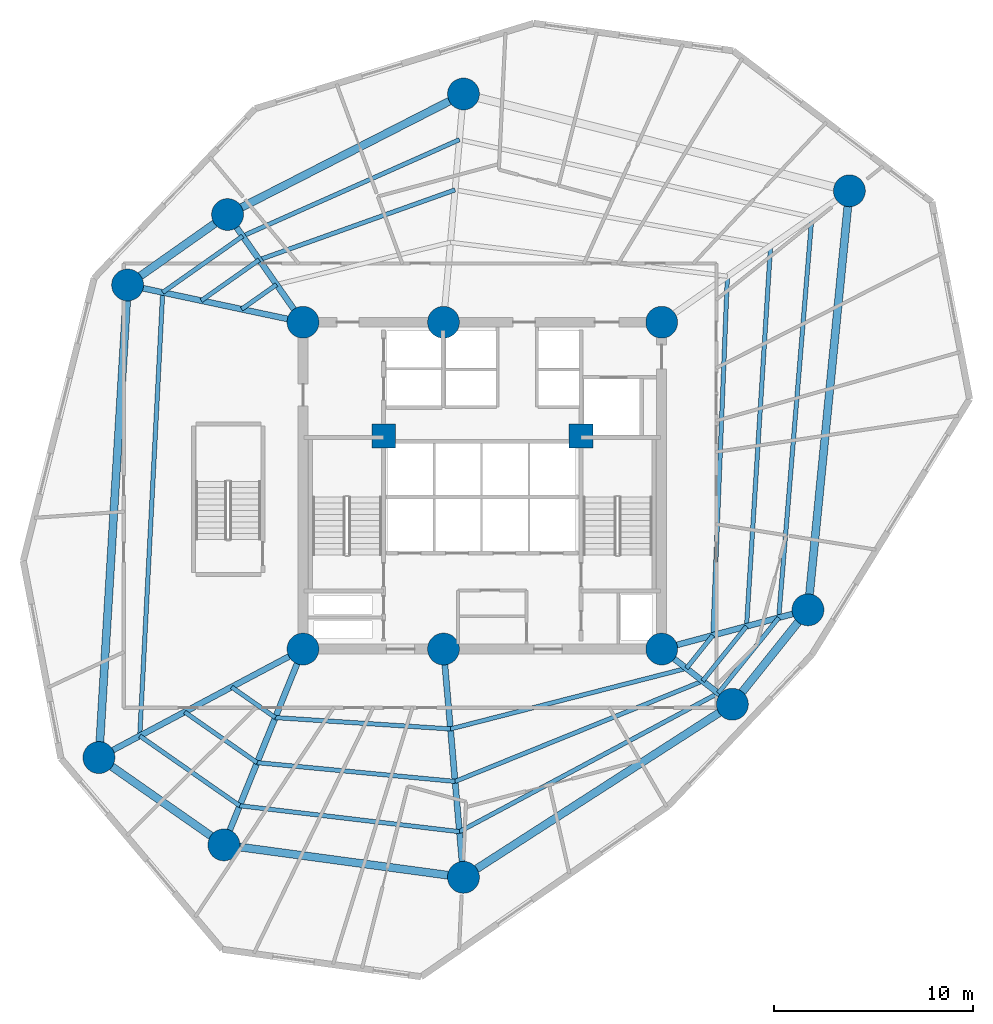
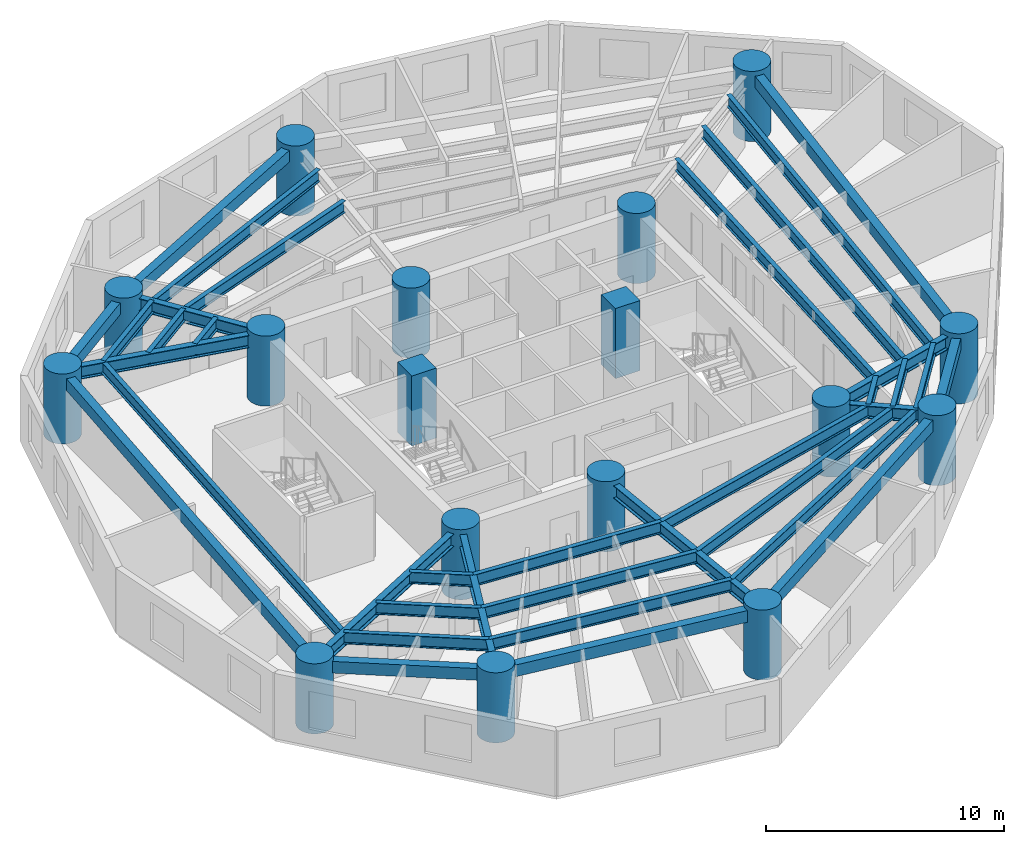
# One storey, part 1 of 8: 36 beams, 17 columns.
"""IFC4 building model written with IfcOpenShell, lengths in metres."""

from ifc_helpers import new_model, si_unit, direction, frame, origin, origin_with_axes, origin_2d, place, context, subcontext, project, spatial, rectangle, circle, i_section, extrude, source, transform, mapped, material, material_profile, profile_set, type_object, element, save


model = new_model("IFC4")

# Units and contexts
model_context = context("Model", 3, precision=1e-05, world=origin(), true_north=direction((0.0, 1.0)))
body_context = subcontext(model_context, "Body", "Model", "MODEL_VIEW")
ifc_project = project(units=[si_unit("LENGTHUNIT", "METRE"), si_unit("AREAUNIT", "SQUARE_METRE"), si_unit("VOLUMEUNIT", "CUBIC_METRE"), si_unit("PLANEANGLEUNIT", "RADIAN"), si_unit("MASSUNIT", "GRAM", prefix="KILO")], contexts=[model_context])

# Site, building, storey
site_placement = place(None, origin())
site = spatial("IfcSite", under=ifc_project, at=site_placement, CompositionType="ELEMENT")
building_placement = place(site_placement, origin())
building = spatial("IfcBuilding", under=site, at=building_placement, Name="Karkom Vertical University and Central Library", CompositionType="ELEMENT")
storey_placement = place(building_placement, frame((0.0, 0.0, 76.89990234375)))
storey = spatial("IfcBuildingStorey", under=building, at=storey_placement, Name="L20", CompositionType="ELEMENT", Elevation=76.89990234375)

# Columns
ifc_material_1 = material(Name="Concrete C50/60", Category="concrete")
ifc_material_profile_1 = material_profile(ifc_material_1, circle(Radius=0.800048828125, at=origin_2d()), Name="CFT-D1600")
ifc_profile_set_1 = profile_set([ifc_material_profile_1], Name="Concrete C50/60")
column_type_1 = type_object("IfcColumnType", Name="STR-COL-C-SC2", PredefinedType="COLUMN", material=ifc_profile_set_1)
shared_shape_1 = source(origin_with_axes(), body_context, "Body", "SweptSolid", [
    extrude(circle(Radius=0.800048828125, at=origin_2d()), origin(), (0.0, 0.0, 1.0), 3.60009765625),
])
for number, where, z_axis, x_axis, name in (
    (1, (19.5, 18.300048828125, 0.0), (0.0, 0.0, 1.0), (1.0, 0.0, 0.0), "Level 20 Spine Mega-Column SC-1"),
    (2, (26.550048828125, 18.300048828125, 0.0), (0.0, 0.0, 1.0), (1.0, 0.0, 0.0), "Level 20 Spine Mega-Column SC-2"),
    (3, (37.5, 18.300048828125, 0.0), (0.0, 0.0, 1.0), (1.0, 0.0, 0.0), "Level 20 Spine Mega-Column SC-3"),
    (4, (19.5, 34.699951171875, 0.0), (0.0, 0.0, 1.0), (1.0, 0.0, 0.0), "Level 20 Spine Mega-Column SC-4"),
    (5, (26.550048828125, 34.699951171875, 0.0), (0.0, 0.0, 1.0), (1.0, 0.0, 0.0), "Level 20 Spine Mega-Column SC-5"),
    (6, (37.5, 34.699951171875, 0.0), (0.0, 0.0, 1.0), (1.0, 0.0, 0.0), "Level 20 Spine Mega-Column SC-6"),
    (7, (44.841064453125, 20.26708984375, 0.0), (0.0, 0.0, 1.0), (1.0, 0.0, 0.0), "Level 20 Perimeter Mega-Column Z1-PC1"),
    (8, (46.919921875, 41.2958984375, 0.0), (0.0, 0.0, 1.0), (1.0, 0.0, 0.0), "Level 20 Perimeter Mega-Column Z1-PC2"),
    (9, (27.552001953125, 46.156005859375, 0.0), (0.0, 0.0, 1.0), (1.0, 0.0, 0.0), "Level 20 Perimeter Mega-Column Z1-PC3"),
    (10, (15.714111328125, 40.10595703125, 0.0), (0.0, 0.0, 1.0), (1.0, 0.0, 0.0), "Level 20 Perimeter Mega-Column Z1-PC4"),
    (11, (10.697021484375, 36.571044921875, 0.0), (0.0, 0.0, 1.0), (1.0, 0.0, 0.0), "Level 20 Perimeter Mega-Column Z1-PC5"),
    (12, (9.258056640625, 12.85400390625, 0.0), (0.0, 0.0, 1.0), (1.0, 0.0, 0.0), "Level 20 Perimeter Mega-Column Z1-PC6"),
    (13, (15.529052734375, 8.471923828125, 0.0), (0.0, 0.0, 1.0), (1.0, 0.0, 0.0), "Level 20 Perimeter Mega-Column Z1-PC7"),
    (14, (27.552001953125, 6.843994140625, 0.0), (0.0, 0.0, 1.0), (1.0, 0.0, 0.0), "Level 20 Perimeter Mega-Column Z1-PC8"),
    (15, (41.0458984375, 15.530029296875, 0.0), (0.0, 0.0, 1.0), (1.0, 0.0, 0.0), "Level 20 Perimeter Mega-Column Z1-PC9"),
):
    element("IfcColumn", number, at=place(storey_placement, frame(where, z_axis=z_axis, x_axis=x_axis)), inside=storey, type_object=column_type_1, Name=name, PredefinedType="COLUMN", context=body_context, shape_type="MappedRepresentation", body=[
        mapped(shared_shape_1, transform((0.0, 0.0, 0.0), scale=1.0)),
    ])
ifc_material_profile_2 = material_profile(ifc_material_1, rectangle(XDim=1.199951171875, YDim=1.199951171875, at=origin_2d()), Name="RC-1200x1200")
ifc_profile_set_2 = profile_set([ifc_material_profile_2], Name="Concrete C50/60")
column_type_2 = type_object("IfcColumnType", Name="STR-COL-C-CC1", PredefinedType="COLUMN", material=ifc_profile_set_2)
shared_shape_2 = source(origin_with_axes(), body_context, "Body", "SweptSolid", [
    extrude(rectangle(XDim=1.199951171875, YDim=1.199951171875, at=origin_2d()), origin(), (0.0, 0.0, 1.0), 3.60009765625),
])
for number, where, z_axis, x_axis, name in (
    (16, (23.550048828125, 29.0, 0.0), (0.0, 0.0, 1.0), (1.0, 0.0, 0.0), "Level 20 Core Node Column CC-1"),
    (17, (33.449951171875, 29.0, 0.0), (0.0, 0.0, 1.0), (1.0, 0.0, 0.0), "Level 20 Core Node Column CC-2"),
):
    element("IfcColumn", number, at=place(storey_placement, frame(where, z_axis=z_axis, x_axis=x_axis)), inside=storey, type_object=column_type_2, Name=name, PredefinedType="COLUMN", context=body_context, shape_type="MappedRepresentation", body=[
        mapped(shared_shape_2, transform((0.0, 0.0, 0.0), scale=1.0)),
    ])

# Beams
ifc_material_2 = material(Name="Steel S355", Category="steel")
ifc_material_profile_3 = material_profile(ifc_material_2, i_section(OverallWidth=0.300048828125, OverallDepth=0.64990234375, WebThickness=0.01611328125, FlangeThickness=0.031005859375, FilletRadius=0.027099609375, at=origin_2d()), Name="HE 650 B")
ifc_profile_set_3 = profile_set([ifc_material_profile_3], Name="Steel S355")
beam_type_1 = type_object("IfcBeamType", Name="STR-BM-SB-HE650", PredefinedType="USERDEFINED", material=ifc_profile_set_3)
shared_shape_3 = source(origin_with_axes(), body_context, "Body", "SweptSolid", [
    extrude(i_section(OverallWidth=0.300048828125, OverallDepth=0.64990234375, WebThickness=0.01611328125, FlangeThickness=0.031005859375, FilletRadius=0.027099609375, at=origin_2d()), origin(), (0.0, 0.0, 1.0), 7.60009765625),
])
beam_1_placement = place(storey_placement, frame((37.5, 18.300048828125, 3.025146484375), z_axis=(0.965925539322, 0.258820116077, 0.0), x_axis=(-0.258820116077, 0.965925539322, 0.0)))
element("IfcBeam", 18, at=beam_1_placement, inside=storey, type_object=beam_type_1, Name="Level 20 Radial Frame Girder 01", ObjectType="GIRDER", PredefinedType="USERDEFINED", context=body_context, shape_type="MappedRepresentation", body=[
    mapped(shared_shape_3, transform((0.0, 0.0, 0.0), scale=1.0)),
])
shared_shape_4 = source(origin_with_axes(), body_context, "Body", "SweptSolid", [
    extrude(i_section(OverallWidth=0.300048828125, OverallDepth=0.64990234375, WebThickness=0.01611328125, FlangeThickness=0.031005859375, FilletRadius=0.027099609375, at=origin_2d()), origin(), (0.0, 0.0, 1.0), 11.499755859375),
])
beam_2_placement = place(storey_placement, frame((26.550048828125, 18.300048828125, 3.025146484375), z_axis=(0.087127973109, -0.99619712723, 0.0), x_axis=(0.99619712723, 0.087127973109, 0.0)))
element("IfcBeam", 19, at=beam_2_placement, inside=storey, type_object=beam_type_1, Name="Level 20 Radial Frame Girder 08", ObjectType="GIRDER", PredefinedType="USERDEFINED", context=body_context, shape_type="MappedRepresentation", body=[
    mapped(shared_shape_4, transform((0.0, 0.0, 0.0), scale=1.0)),
])
shared_shape_5 = source(origin_with_axes(), body_context, "Body", "SweptSolid", [
    extrude(i_section(OverallWidth=0.300048828125, OverallDepth=0.64990234375, WebThickness=0.01611328125, FlangeThickness=0.031005859375, FilletRadius=0.027099609375, at=origin_2d()), origin(), (0.0, 0.0, 1.0), 6.599853515625),
])
beam_3_placement = place(storey_placement, frame((19.5, 34.699951171875, 3.025146484375), z_axis=(-0.573633636671, 0.819111989218, 0.0), x_axis=(-0.819111989218, -0.573633636671, 0.0)))
element("IfcBeam", 20, at=beam_3_placement, inside=storey, type_object=beam_type_1, Name="Level 20 Radial Frame Girder 04", ObjectType="GIRDER", PredefinedType="USERDEFINED", context=body_context, shape_type="MappedRepresentation", body=[
    mapped(shared_shape_5, transform((0.0, 0.0, 0.0), scale=1.0)),
])
shared_shape_6 = source(origin_with_axes(), body_context, "Body", "SweptSolid", [
    extrude(i_section(OverallWidth=0.300048828125, OverallDepth=0.64990234375, WebThickness=0.01611328125, FlangeThickness=0.031005859375, FilletRadius=0.027099609375, at=origin_2d()), origin(), (0.0, 0.0, 1.0), 8.999755859375),
])
beam_4_placement = place(storey_placement, frame((19.5, 34.699951171875, 3.025146484375), z_axis=(-0.978148438993, 0.207907747079, 0.0), x_axis=(-0.207907747079, -0.978148438993, 0.0)))
element("IfcBeam", 21, at=beam_4_placement, inside=storey, type_object=beam_type_1, Name="Level 20 Radial Frame Girder 05", ObjectType="GIRDER", PredefinedType="USERDEFINED", context=body_context, shape_type="MappedRepresentation", body=[
    mapped(shared_shape_6, transform((0.0, 0.0, 0.0), scale=1.0)),
])
shared_shape_7 = source(origin_with_axes(), body_context, "Body", "SweptSolid", [
    extrude(i_section(OverallWidth=0.300048828125, OverallDepth=0.64990234375, WebThickness=0.01611328125, FlangeThickness=0.031005859375, FilletRadius=0.027099609375, at=origin_2d()), origin(), (0.0, 0.0, 1.0), 11.599853515625),
])
beam_5_placement = place(storey_placement, frame((19.5, 18.300048828125, 3.025146484375), z_axis=(-0.882936620635, -0.469492197957, 0.0), x_axis=(0.469492197957, -0.882936620635, 0.0)))
element("IfcBeam", 22, at=beam_5_placement, inside=storey, type_object=beam_type_1, Name="Level 20 Radial Frame Girder 06", ObjectType="GIRDER", PredefinedType="USERDEFINED", context=body_context, shape_type="MappedRepresentation", body=[
    mapped(shared_shape_7, transform((0.0, 0.0, 0.0), scale=1.0)),
])
shared_shape_8 = source(origin_with_axes(), body_context, "Body", "SweptSolid", [
    extrude(i_section(OverallWidth=0.300048828125, OverallDepth=0.64990234375, WebThickness=0.01611328125, FlangeThickness=0.031005859375, FilletRadius=0.027099609375, at=origin_2d()), origin(), (0.0, 0.0, 1.0), 10.60009765625),
])
beam_6_placement = place(storey_placement, frame((19.5, 18.300048828125, 3.025146484375), z_axis=(-0.374616894394, -0.927179692635, 0.0), x_axis=(0.927179692635, -0.374616894394, 0.0)))
element("IfcBeam", 23, at=beam_6_placement, inside=storey, type_object=beam_type_1, Name="Level 20 Radial Frame Girder 07", ObjectType="GIRDER", PredefinedType="USERDEFINED", context=body_context, shape_type="MappedRepresentation", body=[
    mapped(shared_shape_8, transform((0.0, 0.0, 0.0), scale=1.0)),
])
shared_shape_9 = source(origin_with_axes(), body_context, "Body", "SweptSolid", [
    extrude(i_section(OverallWidth=0.300048828125, OverallDepth=0.64990234375, WebThickness=0.01611328125, FlangeThickness=0.031005859375, FilletRadius=0.027099609375, at=origin_2d()), origin(), (0.0, 0.0, 1.0), 4.49951171875),
])
beam_7_placement = place(storey_placement, frame((37.5, 18.300048828125, 3.025146484375), z_axis=(0.788047405801, -0.615614559778, 0.0), x_axis=(0.615614559778, 0.788047405801, 0.0)))
element("IfcBeam", 24, at=beam_7_placement, inside=storey, type_object=beam_type_1, Name="Level 20 Radial Frame Girder 09", ObjectType="GIRDER", PredefinedType="USERDEFINED", context=body_context, shape_type="MappedRepresentation", body=[
    mapped(shared_shape_9, transform((0.0, 0.0, 0.0), scale=1.0)),
])
ifc_material_3 = material(Name="Precast concrete C45/55", Category="concrete")
ifc_material_profile_4 = material_profile(ifc_material_3, rectangle(XDim=0.39990234375, YDim=0.60009765625, at=origin_2d()), Name="SPB-400x600")
ifc_profile_set_4 = profile_set([ifc_material_profile_4], Name="Precast concrete C45/55")
beam_type_2 = type_object("IfcBeamType", Name="STR-BM-SP-1", PredefinedType="SPANDREL", material=ifc_profile_set_4)
shared_shape_10 = source(origin_with_axes(), body_context, "Body", "SweptSolid", [
    extrude(rectangle(XDim=0.39990234375, YDim=0.60009765625, at=origin_2d()), origin(), (0.0, 0.0, 1.0), 21.13134765625),
])
beam_8_placement = place(storey_placement, frame((44.841064453125, 20.26708984375, 3.050048828125), z_axis=(0.0983780471, 0.995149114379, 0.0), x_axis=(-0.995149114379, 0.0983780471, 0.0)))
element("IfcBeam", 25, at=beam_8_placement, inside=storey, type_object=beam_type_2, Name="Level 20 Perimeter Spandrel Beam 01", PredefinedType="SPANDREL", context=body_context, shape_type="MappedRepresentation", body=[
    mapped(shared_shape_10, transform((0.0, 0.0, 0.0), scale=1.0)),
])
shared_shape_11 = source(origin_with_axes(), body_context, "Body", "SweptSolid", [
    extrude(rectangle(XDim=0.39990234375, YDim=0.60009765625, at=origin_2d()), origin(), (0.0, 0.0, 1.0), 13.29443359375),
])
beam_9_placement = place(storey_placement, frame((27.552001953125, 46.156005859375, 3.050048828125), z_axis=(-0.890447746793, -0.455085497716, 0.0), x_axis=(0.455085497716, -0.890447746793, 0.0)))
element("IfcBeam", 26, at=beam_9_placement, inside=storey, type_object=beam_type_2, Name="Level 20 Perimeter Spandrel Beam 03", PredefinedType="SPANDREL", context=body_context, shape_type="MappedRepresentation", body=[
    mapped(shared_shape_11, transform((0.0, 0.0, 0.0), scale=1.0)),
])
shared_shape_12 = source(origin_with_axes(), body_context, "Body", "SweptSolid", [
    extrude(rectangle(XDim=0.39990234375, YDim=0.60009765625, at=origin_2d()), origin(), (0.0, 0.0, 1.0), 6.13720703125),
])
beam_10_placement = place(storey_placement, frame((15.714111328125, 40.10595703125, 3.050048828125), z_axis=(-0.817471365538, -0.575969240955, 0.0), x_axis=(0.575969240955, -0.817471365538, 0.0)))
element("IfcBeam", 27, at=beam_10_placement, inside=storey, type_object=beam_type_2, Name="Level 20 Perimeter Spandrel Beam 04", PredefinedType="SPANDREL", context=body_context, shape_type="MappedRepresentation", body=[
    mapped(shared_shape_12, transform((0.0, 0.0, 0.0), scale=1.0)),
])
shared_shape_13 = source(origin_with_axes(), body_context, "Body", "SweptSolid", [
    extrude(rectangle(XDim=0.39990234375, YDim=0.60009765625, at=origin_2d()), origin(), (0.0, 0.0, 1.0), 23.7607421875),
])
beam_11_placement = place(storey_placement, frame((10.697021484375, 36.571044921875, 3.050048828125), z_axis=(-0.060560827767, -0.998164508556, 0.0), x_axis=(0.998164508556, -0.060560827767, 0.0)))
element("IfcBeam", 28, at=beam_11_placement, inside=storey, type_object=beam_type_2, Name="Level 20 Perimeter Spandrel Beam 05", PredefinedType="SPANDREL", context=body_context, shape_type="MappedRepresentation", body=[
    mapped(shared_shape_13, transform((0.0, 0.0, 0.0), scale=1.0)),
])
shared_shape_14 = source(origin_with_axes(), body_context, "Body", "SweptSolid", [
    extrude(rectangle(XDim=0.39990234375, YDim=0.60009765625, at=origin_2d()), origin(), (0.0, 0.0, 1.0), 7.650390625),
])
beam_12_placement = place(storey_placement, frame((9.258056640625, 12.85400390625, 3.050048828125), z_axis=(0.819699409527, -0.572793922822, 0.0), x_axis=(0.572793922822, 0.819699409527, 0.0)))
element("IfcBeam", 29, at=beam_12_placement, inside=storey, type_object=beam_type_2, Name="Level 20 Perimeter Spandrel Beam 06", PredefinedType="SPANDREL", context=body_context, shape_type="MappedRepresentation", body=[
    mapped(shared_shape_14, transform((0.0, 0.0, 0.0), scale=1.0)),
])
shared_shape_15 = source(origin_with_axes(), body_context, "Body", "SweptSolid", [
    extrude(rectangle(XDim=0.39990234375, YDim=0.60009765625, at=origin_2d()), origin(), (0.0, 0.0, 1.0), 12.132568359375),
])
beam_13_placement = place(storey_placement, frame((15.529052734375, 8.471923828125, 3.050048828125), z_axis=(0.990957319008, -0.134177464223, 0.0), x_axis=(0.134177464223, 0.990957319008, 0.0)))
element("IfcBeam", 30, at=beam_13_placement, inside=storey, type_object=beam_type_2, Name="Level 20 Perimeter Spandrel Beam 07", PredefinedType="SPANDREL", context=body_context, shape_type="MappedRepresentation", body=[
    mapped(shared_shape_15, transform((0.0, 0.0, 0.0), scale=1.0)),
])
shared_shape_16 = source(origin_with_axes(), body_context, "Body", "SweptSolid", [
    extrude(rectangle(XDim=0.39990234375, YDim=0.60009765625, at=origin_2d()), origin(), (0.0, 0.0, 1.0), 16.0478515625),
])
beam_14_placement = place(storey_placement, frame((27.552001953125, 6.843994140625, 3.050048828125), z_axis=(0.84085555045, 0.541259589548, 0.0), x_axis=(-0.541259589548, 0.84085555045, 0.0)))
element("IfcBeam", 31, at=beam_14_placement, inside=storey, type_object=beam_type_2, Name="Level 20 Perimeter Spandrel Beam 08", PredefinedType="SPANDREL", context=body_context, shape_type="MappedRepresentation", body=[
    mapped(shared_shape_16, transform((0.0, 0.0, 0.0), scale=1.0)),
])
shared_shape_17 = source(origin_with_axes(), body_context, "Body", "SweptSolid", [
    extrude(rectangle(XDim=0.39990234375, YDim=0.60009765625, at=origin_2d()), origin(), (0.0, 0.0, 1.0), 6.06982421875),
])
beam_15_placement = place(storey_placement, frame((41.0458984375, 15.530029296875, 3.050048828125), z_axis=(0.625249167344, 0.780425190992, 0.0), x_axis=(-0.780425190992, 0.625249167344, 0.0)))
element("IfcBeam", 32, at=beam_15_placement, inside=storey, type_object=beam_type_2, Name="Level 20 Perimeter Spandrel Beam 09", PredefinedType="SPANDREL", context=body_context, shape_type="MappedRepresentation", body=[
    mapped(shared_shape_17, transform((0.0, 0.0, 0.0), scale=1.0)),
])
ifc_material_profile_5 = material_profile(ifc_material_2, i_section(OverallWidth=0.219970703125, OverallDepth=0.60009765625, WebThickness=0.011962890625, FlangeThickness=0.01904296875, FilletRadius=0.02392578125, at=origin_2d()), Name="IPE 600")
ifc_profile_set_5 = profile_set([ifc_material_profile_5], Name="Steel S355")
beam_type_3 = type_object("IfcBeamType", Name="STR-BM-SB-IPE600", PredefinedType="BEAM", material=ifc_profile_set_5)
shared_shape_18 = source(origin_with_axes(), body_context, "Body", "SweptSolid", [
    extrude(i_section(OverallWidth=0.219970703125, OverallDepth=0.60009765625, WebThickness=0.011962890625, FlangeThickness=0.01904296875, FilletRadius=0.02392578125, at=origin_2d()), origin(), (0.0, 0.0, 1.0), 18.03466796875),
])
beam_16_placement = place(storey_placement, frame((40.0693359375, 18.988525390625, 3.050048828125), z_axis=(0.04035458262, 0.999185422062, 0.0), x_axis=(-0.999185422062, 0.04035458262, 0.0)))
element("IfcBeam", 33, at=beam_16_placement, inside=storey, type_object=beam_type_3, Name="Level 20 Secondary Composite Floor Beam 1.01", PredefinedType="BEAM", context=body_context, shape_type="MappedRepresentation", body=[
    mapped(shared_shape_18, transform((0.0, 0.0, 0.0), scale=1.0)),
])
shared_shape_19 = source(origin_with_axes(), body_context, "Body", "SweptSolid", [
    extrude(i_section(OverallWidth=0.219970703125, OverallDepth=0.60009765625, WebThickness=0.011962890625, FlangeThickness=0.01904296875, FilletRadius=0.02392578125, at=origin_2d()), origin(), (0.0, 0.0, 1.0), 2.14794921875),
])
beam_17_placement = place(storey_placement, frame((18.1748046875, 36.592041015625, 3.050048828125), z_axis=(-0.817433780971, -0.576022580918, 0.0), x_axis=(0.576022580918, -0.817433780971, 0.0)))
element("IfcBeam", 34, at=beam_17_placement, inside=storey, type_object=beam_type_3, Name="Level 20 Secondary Composite Floor Beam 1.04", PredefinedType="BEAM", context=body_context, shape_type="MappedRepresentation", body=[
    mapped(shared_shape_19, transform((0.0, 0.0, 0.0), scale=1.0)),
])
shared_shape_20 = source(origin_with_axes(), body_context, "Body", "SweptSolid", [
    extrude(i_section(OverallWidth=0.219970703125, OverallDepth=0.60009765625, WebThickness=0.011962890625, FlangeThickness=0.01904296875, FilletRadius=0.02392578125, at=origin_2d()), origin(), (0.0, 0.0, 1.0), 2.677490234375),
])
beam_18_placement = place(storey_placement, frame((15.915283203125, 16.393798828125, 3.050048828125), z_axis=(0.819702839548, -0.572789014243, 0.0), x_axis=(0.572789014243, 0.819702839548, 0.0)))
element("IfcBeam", 35, at=beam_18_placement, inside=storey, type_object=beam_type_3, Name="Level 20 Secondary Composite Floor Beam 1.06", PredefinedType="BEAM", context=body_context, shape_type="MappedRepresentation", body=[
    mapped(shared_shape_20, transform((0.0, 0.0, 0.0), scale=1.0)),
])
shared_shape_21 = source(origin_with_axes(), body_context, "Body", "SweptSolid", [
    extrude(i_section(OverallWidth=0.219970703125, OverallDepth=0.60009765625, WebThickness=0.011962890625, FlangeThickness=0.01904296875, FilletRadius=0.02392578125, at=origin_2d()), origin(), (0.0, 0.0, 1.0), 8.80908203125),
])
beam_19_placement = place(storey_placement, frame((18.110107421875, 14.860107421875, 3.050048828125), z_axis=(0.997905617906, -0.064686766433, 0.0), x_axis=(0.064686766433, 0.997905617906, 0.0)))
element("IfcBeam", 36, at=beam_19_placement, inside=storey, type_object=beam_type_3, Name="Level 20 Secondary Composite Floor Beam 1.07", PredefinedType="BEAM", context=body_context, shape_type="MappedRepresentation", body=[
    mapped(shared_shape_21, transform((0.0, 0.0, 0.0), scale=1.0)),
])
shared_shape_22 = source(origin_with_axes(), body_context, "Body", "SweptSolid", [
    extrude(i_section(OverallWidth=0.219970703125, OverallDepth=0.60009765625, WebThickness=0.011962890625, FlangeThickness=0.01904296875, FilletRadius=0.02392578125, at=origin_2d()), origin(), (0.0, 0.0, 1.0), 12.224609375),
])
beam_20_placement = place(storey_placement, frame((26.900634765625, 14.290283203125, 3.050048828125), z_axis=(0.968580403264, 0.248700628092, 0.0), x_axis=(-0.248700628092, 0.968580403264, 0.0)))
element("IfcBeam", 37, at=beam_20_placement, inside=storey, type_object=beam_type_3, Name="Level 20 Secondary Composite Floor Beam 1.08", PredefinedType="BEAM", context=body_context, shape_type="MappedRepresentation", body=[
    mapped(shared_shape_22, transform((0.0, 0.0, 0.0), scale=1.0)),
])
shared_shape_23 = source(origin_with_axes(), body_context, "Body", "SweptSolid", [
    extrude(i_section(OverallWidth=0.219970703125, OverallDepth=0.60009765625, WebThickness=0.011962890625, FlangeThickness=0.01904296875, FilletRadius=0.02392578125, at=origin_2d()), origin(), (0.0, 0.0, 1.0), 2.124267578125),
])
beam_21_placement = place(storey_placement, frame((38.7412109375, 17.33056640625, 3.050048828125), z_axis=(0.625199471959, 0.780465002587, 0.0), x_axis=(-0.780465002587, 0.625199471959, 0.0)))
element("IfcBeam", 38, at=beam_21_placement, inside=storey, type_object=beam_type_3, Name="Level 20 Secondary Composite Floor Beam 1.09", PredefinedType="BEAM", context=body_context, shape_type="MappedRepresentation", body=[
    mapped(shared_shape_23, transform((0.0, 0.0, 0.0), scale=1.0)),
])
shared_shape_24 = source(origin_with_axes(), body_context, "Body", "SweptSolid", [
    extrude(i_section(OverallWidth=0.219970703125, OverallDepth=0.60009765625, WebThickness=0.011962890625, FlangeThickness=0.01904296875, FilletRadius=0.02392578125, at=origin_2d()), origin(), (0.0, 0.0, 1.0), 19.122802734375),
])
beam_22_placement = place(storey_placement, frame((41.7578125, 19.44091796875, 3.050048828125), z_axis=(0.063056264597, 0.998009973645, 0.0), x_axis=(-0.998009973645, 0.063056264597, 0.0)))
element("IfcBeam", 39, at=beam_22_placement, inside=storey, type_object=beam_type_3, Name="Level 20 Secondary Composite Floor Beam 2.01", PredefinedType="BEAM", context=body_context, shape_type="MappedRepresentation", body=[
    mapped(shared_shape_24, transform((0.0, 0.0, 0.0), scale=1.0)),
])
shared_shape_25 = source(origin_with_axes(), body_context, "Body", "SweptSolid", [
    extrude(i_section(OverallWidth=0.219970703125, OverallDepth=0.60009765625, WebThickness=0.011962890625, FlangeThickness=0.01904296875, FilletRadius=0.02392578125, at=origin_2d()), origin(), (0.0, 0.0, 1.0), 10.4345703125),
])
beam_23_placement = place(storey_placement, frame((27.131103515625, 41.344482421875, 3.050048828125), z_axis=(-0.941759378798, -0.336287484819, 0.0), x_axis=(0.336287484819, -0.941759378798, 0.0)))
element("IfcBeam", 40, at=beam_23_placement, inside=storey, type_object=beam_type_3, Name="Level 20 Secondary Composite Floor Beam 2.03", PredefinedType="BEAM", context=body_context, shape_type="MappedRepresentation", body=[
    mapped(shared_shape_25, transform((0.0, 0.0, 0.0), scale=1.0)),
])
shared_shape_26 = source(origin_with_axes(), body_context, "Body", "SweptSolid", [
    extrude(i_section(OverallWidth=0.219970703125, OverallDepth=0.60009765625, WebThickness=0.011962890625, FlangeThickness=0.01904296875, FilletRadius=0.02392578125, at=origin_2d()), origin(), (0.0, 0.0, 1.0), 3.5595703125),
])
beam_24_placement = place(storey_placement, frame((17.30419921875, 37.83544921875, 3.050048828125), z_axis=(-0.817465552849, -0.575977490798, 0.0), x_axis=(0.575977490798, -0.817465552849, 0.0)))
element("IfcBeam", 41, at=beam_24_placement, inside=storey, type_object=beam_type_3, Name="Level 20 Secondary Composite Floor Beam 2.04", PredefinedType="BEAM", context=body_context, shape_type="MappedRepresentation", body=[
    mapped(shared_shape_26, transform((0.0, 0.0, 0.0), scale=1.0)),
])
shared_shape_27 = source(origin_with_axes(), body_context, "Body", "SweptSolid", [
    extrude(i_section(OverallWidth=0.219970703125, OverallDepth=0.60009765625, WebThickness=0.011962890625, FlangeThickness=0.01904296875, FilletRadius=0.02392578125, at=origin_2d()), origin(), (0.0, 0.0, 1.0), 4.437255859375),
])
beam_25_placement = place(storey_placement, frame((13.5595703125, 15.141357421875, 3.050048828125), z_axis=(0.819712425733, -0.572775295468, 0.0), x_axis=(0.572775295468, 0.819712425733, 0.0)))
element("IfcBeam", 42, at=beam_25_placement, inside=storey, type_object=beam_type_3, Name="Level 20 Secondary Composite Floor Beam 2.06", PredefinedType="BEAM", context=body_context, shape_type="MappedRepresentation", body=[
    mapped(shared_shape_27, transform((0.0, 0.0, 0.0), scale=1.0)),
])
shared_shape_28 = source(origin_with_axes(), body_context, "Body", "SweptSolid", [
    extrude(i_section(OverallWidth=0.219970703125, OverallDepth=0.60009765625, WebThickness=0.011962890625, FlangeThickness=0.01904296875, FilletRadius=0.02392578125, at=origin_2d()), origin(), (0.0, 0.0, 1.0), 9.97900390625),
])
beam_26_placement = place(storey_placement, frame((17.19677734375, 12.599853515625, 3.050048828125), z_axis=(0.995512389915, -0.094631292526, 0.0), x_axis=(0.094631292526, 0.995512389915, 0.0)))
element("IfcBeam", 43, at=beam_26_placement, inside=storey, type_object=beam_type_3, Name="Level 20 Secondary Composite Floor Beam 2.07", PredefinedType="BEAM", context=body_context, shape_type="MappedRepresentation", body=[
    mapped(shared_shape_28, transform((0.0, 0.0, 0.0), scale=1.0)),
])
shared_shape_29 = source(origin_with_axes(), body_context, "Body", "SweptSolid", [
    extrude(i_section(OverallWidth=0.219970703125, OverallDepth=0.60009765625, WebThickness=0.011962890625, FlangeThickness=0.01904296875, FilletRadius=0.02392578125, at=origin_2d()), origin(), (0.0, 0.0, 1.0), 13.407958984375),
])
beam_27_placement = place(storey_placement, frame((27.131103515625, 11.655517578125, 3.050048828125), z_axis=(0.926727273371, 0.375734694685, 0.0), x_axis=(-0.375734694685, 0.926727273371, 0.0)))
element("IfcBeam", 44, at=beam_27_placement, inside=storey, type_object=beam_type_3, Name="Level 20 Secondary Composite Floor Beam 2.08", PredefinedType="BEAM", context=body_context, shape_type="MappedRepresentation", body=[
    mapped(shared_shape_29, transform((0.0, 0.0, 0.0), scale=1.0)),
])
shared_shape_30 = source(origin_with_axes(), body_context, "Body", "SweptSolid", [
    extrude(i_section(OverallWidth=0.219970703125, OverallDepth=0.60009765625, WebThickness=0.011962890625, FlangeThickness=0.01904296875, FilletRadius=0.02392578125, at=origin_2d()), origin(), (0.0, 0.0, 1.0), 3.5205078125),
])
beam_28_placement = place(storey_placement, frame((39.556640625, 16.693359375, 3.050048828125), z_axis=(0.62523614548, 0.780435623473, 0.0), x_axis=(-0.780435623473, 0.62523614548, 0.0)))
element("IfcBeam", 45, at=beam_28_placement, inside=storey, type_object=beam_type_3, Name="Level 20 Secondary Composite Floor Beam 2.09", PredefinedType="BEAM", context=body_context, shape_type="MappedRepresentation", body=[
    mapped(shared_shape_30, transform((0.0, 0.0, 0.0), scale=1.0)),
])
shared_shape_31 = source(origin_with_axes(), body_context, "Body", "SweptSolid", [
    extrude(i_section(OverallWidth=0.219970703125, OverallDepth=0.60009765625, WebThickness=0.011962890625, FlangeThickness=0.01904296875, FilletRadius=0.02392578125, at=origin_2d()), origin(), (0.0, 0.0, 1.0), 20.171875),
])
beam_29_placement = place(storey_placement, frame((43.372802734375, 19.87353515625, 3.050048828125), z_axis=(0.082445490935, 0.996595575459, 0.0), x_axis=(-0.996595575459, 0.082445490935, 0.0)))
element("IfcBeam", 46, at=beam_29_placement, inside=storey, type_object=beam_type_3, Name="Level 20 Secondary Composite Floor Beam 3.01", PredefinedType="BEAM", context=body_context, shape_type="MappedRepresentation", body=[
    mapped(shared_shape_31, transform((0.0, 0.0, 0.0), scale=1.0)),
])
shared_shape_32 = source(origin_with_axes(), body_context, "Body", "SweptSolid", [
    extrude(i_section(OverallWidth=0.219970703125, OverallDepth=0.60009765625, WebThickness=0.011962890625, FlangeThickness=0.01904296875, FilletRadius=0.02392578125, at=origin_2d()), origin(), (0.0, 0.0, 1.0), 11.908203125),
])
beam_30_placement = place(storey_placement, frame((27.3515625, 43.86474609375, 3.050048828125), z_axis=(-0.913682996781, -0.406427584441, 0.0), x_axis=(0.406427584441, -0.913682996781, 0.0)))
element("IfcBeam", 47, at=beam_30_placement, inside=storey, type_object=beam_type_3, Name="Level 20 Secondary Composite Floor Beam 3.03", PredefinedType="BEAM", context=body_context, shape_type="MappedRepresentation", body=[
    mapped(shared_shape_32, transform((0.0, 0.0, 0.0), scale=1.0)),
])
shared_shape_33 = source(origin_with_axes(), body_context, "Body", "SweptSolid", [
    extrude(i_section(OverallWidth=0.219970703125, OverallDepth=0.60009765625, WebThickness=0.011962890625, FlangeThickness=0.01904296875, FilletRadius=0.02392578125, at=origin_2d()), origin(), (0.0, 0.0, 1.0), 4.909912109375),
])
beam_31_placement = place(storey_placement, frame((16.47119140625, 39.02490234375, 3.050048828125), z_axis=(-0.817452635759, -0.575995823153, 0.0), x_axis=(0.575995823153, -0.817452635759, 0.0)))
element("IfcBeam", 48, at=beam_31_placement, inside=storey, type_object=beam_type_3, Name="Level 20 Secondary Composite Floor Beam 3.04", PredefinedType="BEAM", context=body_context, shape_type="MappedRepresentation", body=[
    mapped(shared_shape_33, transform((0.0, 0.0, 0.0), scale=1.0)),
])
shared_shape_34 = source(origin_with_axes(), body_context, "Body", "SweptSolid", [
    extrude(i_section(OverallWidth=0.219970703125, OverallDepth=0.60009765625, WebThickness=0.011962890625, FlangeThickness=0.01904296875, FilletRadius=0.02392578125, at=origin_2d()), origin(), (0.0, 0.0, 1.0), 22.283447265625),
])
beam_32_placement = place(storey_placement, frame((12.45751953125, 36.19677734375, 3.050048828125), z_axis=(-0.051658288147, -0.998664819279, 0.0), x_axis=(0.998664819279, -0.051658288147, 0.0)))
element("IfcBeam", 49, at=beam_32_placement, inside=storey, type_object=beam_type_3, Name="Level 20 Secondary Composite Floor Beam 3.05", PredefinedType="BEAM", context=body_context, shape_type="MappedRepresentation", body=[
    mapped(shared_shape_34, transform((0.0, 0.0, 0.0), scale=1.0)),
])
shared_shape_35 = source(origin_with_axes(), body_context, "Body", "SweptSolid", [
    extrude(i_section(OverallWidth=0.219970703125, OverallDepth=0.60009765625, WebThickness=0.011962890625, FlangeThickness=0.01904296875, FilletRadius=0.02392578125, at=origin_2d()), origin(), (0.0, 0.0, 1.0), 6.120361328125),
])
beam_33_placement = place(storey_placement, frame((11.306396484375, 13.943115234375, 3.050048828125), z_axis=(0.81970577287, -0.572784816422, 0.0), x_axis=(0.572784816422, 0.81970577287, 0.0)))
element("IfcBeam", 50, at=beam_33_placement, inside=storey, type_object=beam_type_3, Name="Level 20 Secondary Composite Floor Beam 3.06", PredefinedType="BEAM", context=body_context, shape_type="MappedRepresentation", body=[
    mapped(shared_shape_35, transform((0.0, 0.0, 0.0), scale=1.0)),
])
shared_shape_36 = source(origin_with_axes(), body_context, "Body", "SweptSolid", [
    extrude(i_section(OverallWidth=0.219970703125, OverallDepth=0.60009765625, WebThickness=0.011962890625, FlangeThickness=0.01904296875, FilletRadius=0.02392578125, at=origin_2d()), origin(), (0.0, 0.0, 1.0), 11.10498046875),
])
beam_34_placement = place(storey_placement, frame((16.3232421875, 10.4375, 3.050048828125), z_axis=(0.993100390447, -0.117267278018, 0.0), x_axis=(0.117267278018, 0.993100390447, 0.0)))
element("IfcBeam", 51, at=beam_34_placement, inside=storey, type_object=beam_type_3, Name="Level 20 Secondary Composite Floor Beam 3.07", PredefinedType="BEAM", context=body_context, shape_type="MappedRepresentation", body=[
    mapped(shared_shape_36, transform((0.0, 0.0, 0.0), scale=1.0)),
])
shared_shape_37 = source(origin_with_axes(), body_context, "Body", "SweptSolid", [
    extrude(i_section(OverallWidth=0.219970703125, OverallDepth=0.60009765625, WebThickness=0.011962890625, FlangeThickness=0.01904296875, FilletRadius=0.02392578125, at=origin_2d()), origin(), (0.0, 0.0, 1.0), 14.727783203125),
])
beam_35_placement = place(storey_placement, frame((27.3515625, 9.13525390625, 3.050048828125), z_axis=(0.881697726656, 0.471814708131, 0.0), x_axis=(-0.471814708131, 0.881697726656, 0.0)))
element("IfcBeam", 52, at=beam_35_placement, inside=storey, type_object=beam_type_3, Name="Level 20 Secondary Composite Floor Beam 3.08", PredefinedType="BEAM", context=body_context, shape_type="MappedRepresentation", body=[
    mapped(shared_shape_37, transform((0.0, 0.0, 0.0), scale=1.0)),
])
shared_shape_38 = source(origin_with_axes(), body_context, "Body", "SweptSolid", [
    extrude(i_section(OverallWidth=0.219970703125, OverallDepth=0.60009765625, WebThickness=0.011962890625, FlangeThickness=0.01904296875, FilletRadius=0.02392578125, at=origin_2d()), origin(), (0.0, 0.0, 1.0), 4.855712890625),
])
beam_36_placement = place(storey_placement, frame((40.3369140625, 16.083984375, 3.050048828125), z_axis=(0.62522835738, 0.780441862747, 0.0), x_axis=(-0.780441862747, 0.62522835738, 0.0)))
element("IfcBeam", 53, at=beam_36_placement, inside=storey, type_object=beam_type_3, Name="Level 20 Secondary Composite Floor Beam 3.09", PredefinedType="BEAM", context=body_context, shape_type="MappedRepresentation", body=[
    mapped(shared_shape_38, transform((0.0, 0.0, 0.0), scale=1.0)),
])

save(model, "model.ifc")
